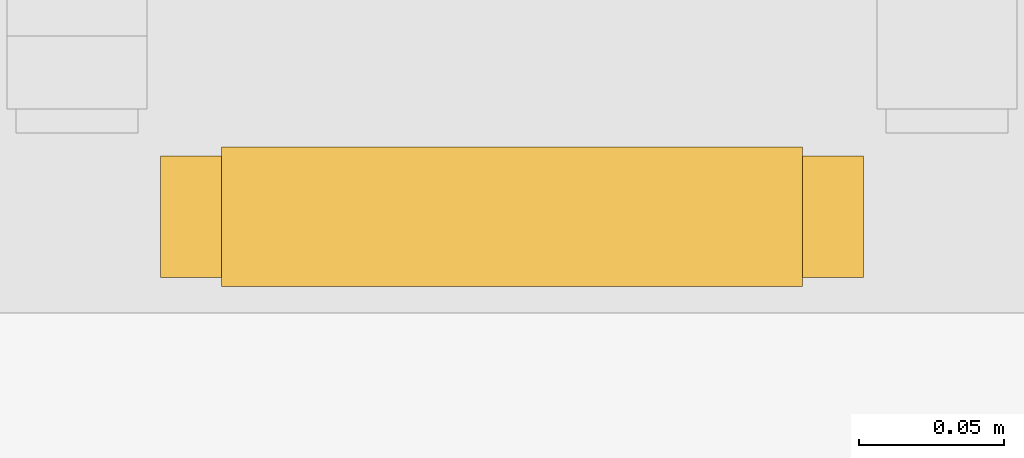
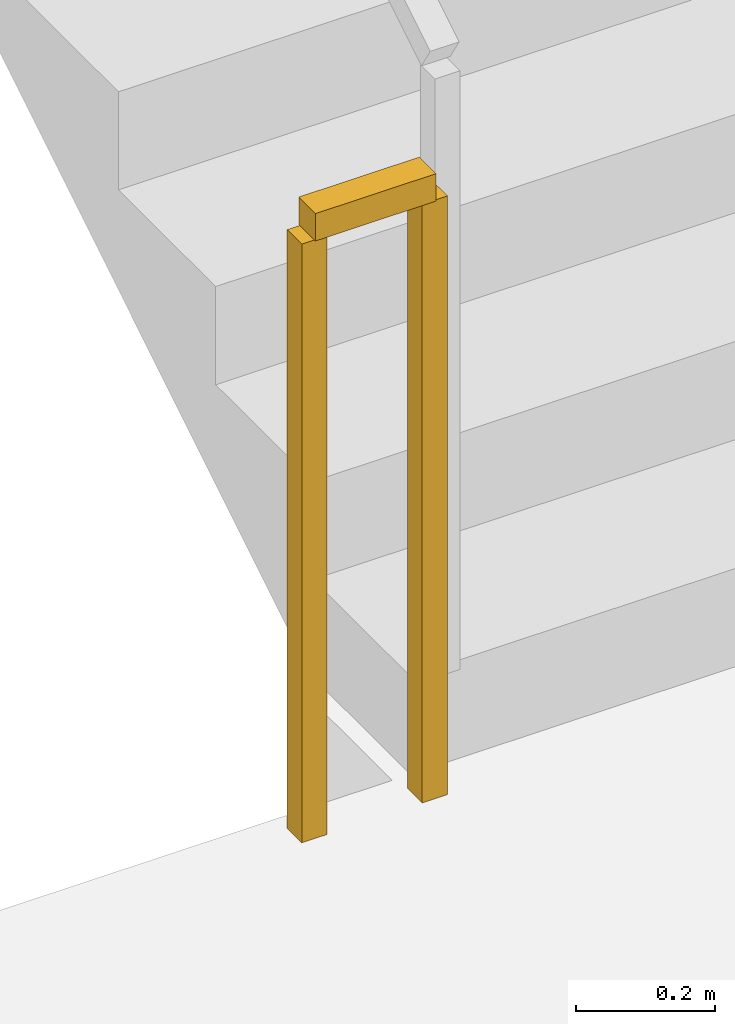
# One storey, part 8 of 11: 1 railing.
"""IFC4 building model written with IfcOpenShell, lengths in metres."""

from ifc_helpers import new_model, si_unit, direction, frame, origin, origin_2d, place, context, subcontext, project, spatial, rectangle, extrude, material, type_object, element, save


model = new_model("IFC4")

# Units and contexts
model_context = context("Model", 3, precision=1e-05, world=origin(), true_north=direction((0.0, 1.0)))
body_context = subcontext(model_context, "Body", "Model", "MODEL_VIEW")
ifc_project = project(units=[si_unit("LENGTHUNIT", "METRE"), si_unit("AREAUNIT", "SQUARE_METRE"), si_unit("VOLUMEUNIT", "CUBIC_METRE"), si_unit("PLANEANGLEUNIT", "RADIAN"), si_unit("MASSUNIT", "GRAM", prefix="KILO")], contexts=[model_context])

# Site, building, storey
site_placement = place(None, origin())
site = spatial("IfcSite", under=ifc_project, at=site_placement, CompositionType="ELEMENT")
building_placement = place(site_placement, origin())
building = spatial("IfcBuilding", under=site, at=building_placement, Name="Haldorwick Loom Tower", CompositionType="ELEMENT")
storey_placement = place(building_placement, frame((0.0, 0.0, 208.300048828125)))
storey = spatial("IfcBuildingStorey", under=building, at=storey_placement, Name="L56", CompositionType="ELEMENT", Elevation=208.300048828125)

# Railing
ifc_material = material(Name="Steel CSA G40.21 350W", Category="steel")
railing_type = type_object("IfcRailingType", Name="ARC-RLG-GUARD112", PredefinedType="GUARDRAIL", material=ifc_material)
railing_placement = place(storey_placement, frame((31.85009765625, 28.35009765625, 0.0)))
element("IfcRailing", 1, at=railing_placement, inside=storey, type_object=railing_type, Name="L56 ST-03 stair guard 4", PredefinedType="GUARDRAIL", context=body_context, shape_type="SweptSolid", body=[
    extrude(rectangle(XDim=0.048095703125, YDim=0.048095703125, at=origin_2d()), frame((0.0, 0.0, 1.076171875), z_axis=(-1.0, 0.0, 0.0), x_axis=(0.0, -1.0, 0.0)), (0.0, 0.0, 1.0), 0.2001953125),
    extrude(rectangle(XDim=0.0419921875, YDim=0.0419921875, at=origin_2d()), origin(), (0.0, 0.0, 1.0), 1.052001953125),
    extrude(rectangle(XDim=0.0419921875, YDim=0.0419921875, at=origin_2d()), frame((-0.2001953125, 0.0, 0.0)), (0.0, 0.0, 1.0), 1.052001953125),
])

save(model, "model.ifc")
